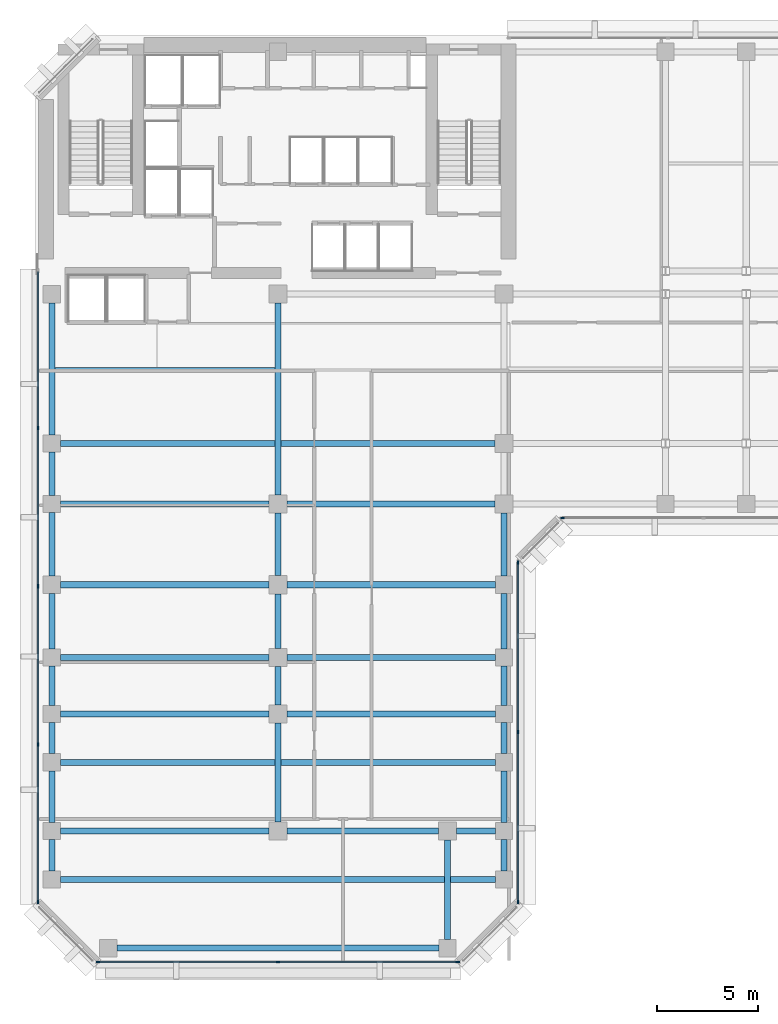
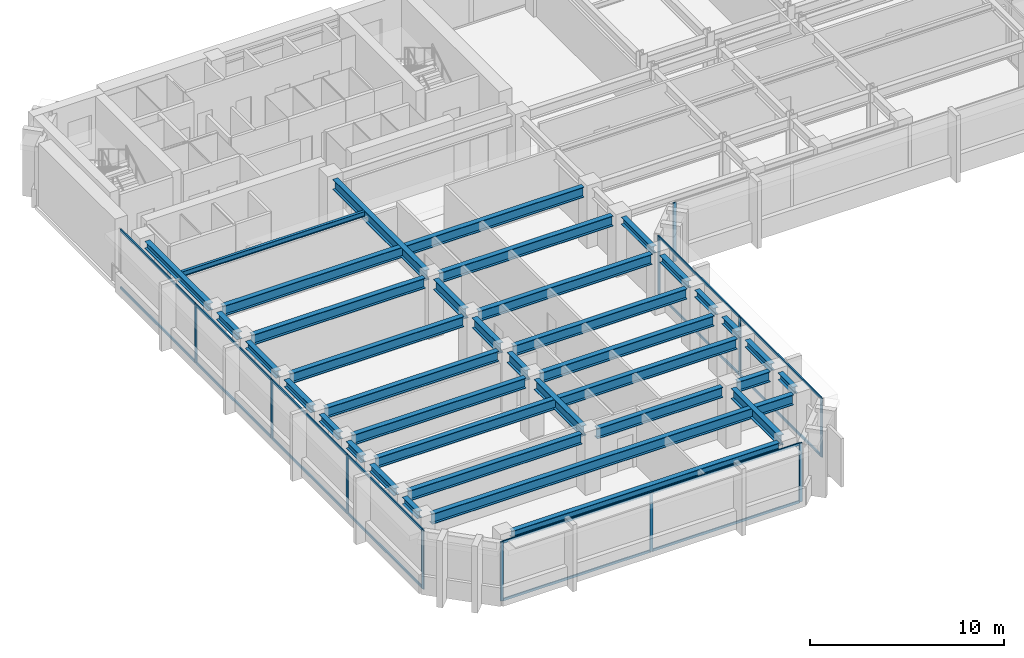
# One storey, part 2 of 11: 36 beams, 27 members, 4 elements without a shape of their own.
"""IFC4 building model written with IfcOpenShell, lengths in metres."""

from ifc_helpers import new_model, si_unit, direction, frame, origin, origin_2d, place, context, subcontext, project, spatial, rectangle, i_section, extrude, material, layer, layer_set, material_profile, profile_set, type_object, element, aggregate, save


model = new_model("IFC4")

# Units and contexts
model_context = context("Model", 3, precision=1e-05, world=origin(), true_north=direction((0.0, 1.0)))
body_context = subcontext(model_context, "Body", "Model", "MODEL_VIEW")
ifc_project = project(units=[si_unit("LENGTHUNIT", "METRE"), si_unit("AREAUNIT", "SQUARE_METRE"), si_unit("VOLUMEUNIT", "CUBIC_METRE"), si_unit("PLANEANGLEUNIT", "RADIAN"), si_unit("MASSUNIT", "GRAM", prefix="KILO")], contexts=[model_context])

# Site, building, storey
site_placement = place(None, origin())
site = spatial("IfcSite", under=ifc_project, at=site_placement, CompositionType="ELEMENT")
building_placement = place(site_placement, origin())
building = spatial("IfcBuilding", under=site, at=building_placement, Name="Kefirva Bronze Tower", CompositionType="ELEMENT")
storey_placement = place(building_placement, frame((0.0, 0.0, 166.64990234375)))
storey = spatial("IfcBuildingStorey", under=building, at=storey_placement, Name="L40", CompositionType="ELEMENT", Elevation=166.64990234375)

# Curtain wall, members
ifc_material_1 = material(Name="Bronze anodised aluminium", Category="aluminium")
ifc_layer = layer(ifc_material_1, 0.199951171875, Name="Bronze anodised aluminium")
ifc_layer_set = layer_set([ifc_layer], Name="Bronze anodised aluminium")
curtain_wall_type = type_object("IfcCurtainWallType", Name="Unitised Bronze Ribbon Curtain Wall Zone 2", PredefinedType="USERDEFINED", material=ifc_layer_set)
curtain_wall_1_placement = place(storey_placement, origin())
curtain_wall_1 = element("IfcCurtainWall", 1, at=curtain_wall_1_placement, inside=storey, type_object=curtain_wall_type, Name="L40 Curtain Wall 1", ObjectType="UNITISED CURTAIN WALL", PredefinedType="USERDEFINED")
ifc_material_profile_1 = material_profile(ifc_material_1, rectangle(XDim=0.074951171875, YDim=0.179931640625, at=origin_2d()), Name="ALU 75x180")
ifc_profile_set_1 = profile_set([ifc_material_profile_1], Name="Bronze anodised aluminium")
member_type_1 = type_object("IfcMemberType", Name="Bronze Mullion 75x180", PredefinedType="MULLION", material=ifc_profile_set_1)
member_1_placement = place(storey_placement, frame((3.092529296875, 0.1201171875, 0.0), z_axis=(0.0, 0.0, 1.0), x_axis=(0.0, 1.0, 0.0)))
member_1 = element("IfcMember", 2, at=member_1_placement, type_object=member_type_1, Name="CW-02 mullion 1", PredefinedType="MULLION", context=body_context, shape_type="SweptSolid", body=[
    extrude(rectangle(XDim=0.074951171875, YDim=0.179931640625, at=origin_2d()), origin(), (0.0, 0.0, 1.0), 3.710205078125),
])
member_2_placement = place(storey_placement, frame((12.0, 0.1201171875, 0.0), z_axis=(0.0, 0.0, 1.0), x_axis=(0.0, 1.0, 0.0)))
member_2 = element("IfcMember", 3, at=member_2_placement, type_object=member_type_1, Name="CW-02 mullion 2", PredefinedType="MULLION", context=body_context, shape_type="SweptSolid", body=[
    extrude(rectangle(XDim=0.074951171875, YDim=0.179931640625, at=origin_2d()), origin(), (0.0, 0.0, 1.0), 3.710205078125),
])
member_3_placement = place(storey_placement, frame((20.907470703125, 0.1201171875, 0.0), z_axis=(0.0, 0.0, 1.0), x_axis=(0.0, 1.0, 0.0)))
member_3 = element("IfcMember", 4, at=member_3_placement, type_object=member_type_1, Name="CW-02 mullion 3", PredefinedType="MULLION", context=body_context, shape_type="SweptSolid", body=[
    extrude(rectangle(XDim=0.074951171875, YDim=0.179931640625, at=origin_2d()), origin(), (0.0, 0.0, 1.0), 3.710205078125),
])

curtain_wall_2_placement = place(storey_placement, origin())
curtain_wall_2 = element("IfcCurtainWall", 5, at=curtain_wall_2_placement, inside=storey, type_object=curtain_wall_type, Name="L40 Curtain Wall 2", ObjectType="UNITISED CURTAIN WALL", PredefinedType="USERDEFINED")
member_4_placement = place(storey_placement, frame((23.8798828125, 3.092529296875, 0.0), z_axis=(0.0, 0.0, 1.0), x_axis=(-1.0, 0.0, 0.0)))
member_4 = element("IfcMember", 6, at=member_4_placement, type_object=member_type_1, Name="CW-02 mullion 1", PredefinedType="MULLION", context=body_context, shape_type="SweptSolid", body=[
    extrude(rectangle(XDim=0.074951171875, YDim=0.179931640625, at=origin_2d()), origin(), (0.0, 0.0, 1.0), 3.710205078125),
])
member_5_placement = place(storey_placement, frame((23.8798828125, 11.5, 0.0), z_axis=(0.0, 0.0, 1.0), x_axis=(-1.0, 0.0, 0.0)))
member_5 = element("IfcMember", 7, at=member_5_placement, type_object=member_type_1, Name="CW-02 mullion 2", PredefinedType="MULLION", context=body_context, shape_type="SweptSolid", body=[
    extrude(rectangle(XDim=0.074951171875, YDim=0.179931640625, at=origin_2d()), origin(), (0.0, 0.0, 1.0), 3.710205078125),
])
member_6_placement = place(storey_placement, frame((23.8798828125, 19.907470703125, 0.0), z_axis=(0.0, 0.0, 1.0), x_axis=(-1.0, 0.0, 0.0)))
member_6 = element("IfcMember", 8, at=member_6_placement, type_object=member_type_1, Name="CW-02 mullion 3", PredefinedType="MULLION", context=body_context, shape_type="SweptSolid", body=[
    extrude(rectangle(XDim=0.074951171875, YDim=0.179931640625, at=origin_2d()), origin(), (0.0, 0.0, 1.0), 3.710205078125),
])

# Curtain wall, member
curtain_wall_3_placement = place(storey_placement, origin())
curtain_wall_3 = element("IfcCurtainWall", 9, at=curtain_wall_3_placement, inside=storey, type_object=curtain_wall_type, Name="L40 Curtain Wall 3", ObjectType="UNITISED CURTAIN WALL", PredefinedType="USERDEFINED")
member_7_placement = place(storey_placement, frame((26.092529296875, 22.1201171875, 0.0), z_axis=(0.0, 0.0, 1.0), x_axis=(0.0, 1.0, 0.0)))
member_7 = element("IfcMember", 10, at=member_7_placement, type_object=member_type_1, Name="CW-02 mullion 1", PredefinedType="MULLION", context=body_context, shape_type="SweptSolid", body=[
    extrude(rectangle(XDim=0.074951171875, YDim=0.179931640625, at=origin_2d()), origin(), (0.0, 0.0, 1.0), 3.710205078125),
])
aggregate(curtain_wall_3, [member_7])

# Curtain wall, members
curtain_wall_4_placement = place(storey_placement, origin())
curtain_wall_4 = element("IfcCurtainWall", 11, at=curtain_wall_4_placement, inside=storey, type_object=curtain_wall_type, Name="L40 Curtain Wall 6", ObjectType="UNITISED CURTAIN WALL", PredefinedType="USERDEFINED")
member_8_placement = place(storey_placement, frame((0.1201171875, 26.56005859375, 0.0), z_axis=(0.0, 0.0, 1.0), x_axis=(1.0, 0.0, 0.0)))
member_8 = element("IfcMember", 12, at=member_8_placement, type_object=member_type_1, Name="CW-02 mullion 2", PredefinedType="MULLION", context=body_context, shape_type="SweptSolid", body=[
    extrude(rectangle(XDim=0.074951171875, YDim=0.179931640625, at=origin_2d()), origin(), (0.0, 0.0, 1.0), 3.710205078125),
])
member_9_placement = place(storey_placement, frame((0.1201171875, 18.72509765625, 0.0), z_axis=(0.0, 0.0, 1.0), x_axis=(1.0, 0.0, 0.0)))
member_9 = element("IfcMember", 13, at=member_9_placement, type_object=member_type_1, Name="CW-02 mullion 3", PredefinedType="MULLION", context=body_context, shape_type="SweptSolid", body=[
    extrude(rectangle(XDim=0.074951171875, YDim=0.179931640625, at=origin_2d()), origin(), (0.0, 0.0, 1.0), 3.710205078125),
])
member_10_placement = place(storey_placement, frame((0.1201171875, 10.889892578125, 0.0), z_axis=(0.0, 0.0, 1.0), x_axis=(1.0, 0.0, 0.0)))
member_10 = element("IfcMember", 14, at=member_10_placement, type_object=member_type_1, Name="CW-02 mullion 4", PredefinedType="MULLION", context=body_context, shape_type="SweptSolid", body=[
    extrude(rectangle(XDim=0.074951171875, YDim=0.179931640625, at=origin_2d()), origin(), (0.0, 0.0, 1.0), 3.710205078125),
])
member_11_placement = place(storey_placement, frame((0.1201171875, 3.092529296875, 0.0), z_axis=(0.0, 0.0, 1.0), x_axis=(1.0, 0.0, 0.0)))
member_11 = element("IfcMember", 15, at=member_11_placement, type_object=member_type_1, Name="CW-02 mullion 5", PredefinedType="MULLION", context=body_context, shape_type="SweptSolid", body=[
    extrude(rectangle(XDim=0.074951171875, YDim=0.179931640625, at=origin_2d()), origin(), (0.0, 0.0, 1.0), 3.710205078125),
])

# Member
ifc_material_profile_2 = material_profile(ifc_material_1, rectangle(XDim=0.074951171875, YDim=0.14990234375, at=origin_2d()), Name="ALU 75x150")
ifc_profile_set_2 = profile_set([ifc_material_profile_2], Name="Bronze anodised aluminium")
member_type_2 = type_object("IfcMemberType", Name="Bronze Transom 75x150", PredefinedType="USERDEFINED", material=ifc_profile_set_2)
member_12_placement = place(storey_placement, frame((3.1298828125, 0.1201171875, 0.03759765625), z_axis=(1.0, 0.0, 0.0), x_axis=(0.0, 1.0, 0.0)))
member_12 = element("IfcMember", 16, at=member_12_placement, type_object=member_type_2, Name="CW-02 transom 1.1", ObjectType="TRANSOM", PredefinedType="USERDEFINED", context=body_context, shape_type="SweptSolid", body=[
    extrude(rectangle(XDim=0.074951171875, YDim=0.14990234375, at=origin_2d()), origin(), (0.0, 0.0, 1.0), 8.83251953125),
])

member_13_placement = place(storey_placement, frame((3.1298828125, 0.1201171875, 3.672607421875), z_axis=(1.0, 0.0, 0.0), x_axis=(0.0, 1.0, 0.0)))
member_13 = element("IfcMember", 17, at=member_13_placement, type_object=member_type_2, Name="CW-02 transom 1.2", ObjectType="TRANSOM", PredefinedType="USERDEFINED", context=body_context, shape_type="SweptSolid", body=[
    extrude(rectangle(XDim=0.074951171875, YDim=0.14990234375, at=origin_2d()), origin(), (0.0, 0.0, 1.0), 8.83251953125),
])

member_14_placement = place(storey_placement, frame((12.03759765625, 0.1201171875, 0.03759765625), z_axis=(1.0, 0.0, 0.0), x_axis=(0.0, 1.0, 0.0)))
member_14 = element("IfcMember", 18, at=member_14_placement, type_object=member_type_2, Name="CW-02 transom 2.1", ObjectType="TRANSOM", PredefinedType="USERDEFINED", context=body_context, shape_type="SweptSolid", body=[
    extrude(rectangle(XDim=0.074951171875, YDim=0.14990234375, at=origin_2d()), origin(), (0.0, 0.0, 1.0), 8.83251953125),
])

member_15_placement = place(storey_placement, frame((12.03759765625, 0.1201171875, 3.672607421875), z_axis=(1.0, 0.0, 0.0), x_axis=(0.0, 1.0, 0.0)))
member_15 = element("IfcMember", 19, at=member_15_placement, type_object=member_type_2, Name="CW-02 transom 2.2", ObjectType="TRANSOM", PredefinedType="USERDEFINED", context=body_context, shape_type="SweptSolid", body=[
    extrude(rectangle(XDim=0.074951171875, YDim=0.14990234375, at=origin_2d()), origin(), (0.0, 0.0, 1.0), 8.83251953125),
])

aggregate(curtain_wall_1, [member_1, member_2, member_3, member_12, member_13, member_14, member_15])

member_16_placement = place(storey_placement, frame((23.8798828125, 3.1298828125, 0.03759765625), z_axis=(0.0, 1.0, 0.0), x_axis=(-1.0, 0.0, 0.0)))
member_16 = element("IfcMember", 20, at=member_16_placement, type_object=member_type_2, Name="CW-02 transom 1.1", ObjectType="TRANSOM", PredefinedType="USERDEFINED", context=body_context, shape_type="SweptSolid", body=[
    extrude(rectangle(XDim=0.074951171875, YDim=0.14990234375, at=origin_2d()), origin(), (0.0, 0.0, 1.0), 8.33251953125),
])

member_17_placement = place(storey_placement, frame((23.8798828125, 3.1298828125, 3.672607421875), z_axis=(0.0, 1.0, 0.0), x_axis=(-1.0, 0.0, 0.0)))
member_17 = element("IfcMember", 21, at=member_17_placement, type_object=member_type_2, Name="CW-02 transom 1.2", ObjectType="TRANSOM", PredefinedType="USERDEFINED", context=body_context, shape_type="SweptSolid", body=[
    extrude(rectangle(XDim=0.074951171875, YDim=0.14990234375, at=origin_2d()), origin(), (0.0, 0.0, 1.0), 8.33251953125),
])

member_18_placement = place(storey_placement, frame((23.8798828125, 11.53759765625, 0.03759765625), z_axis=(0.0, 1.0, 0.0), x_axis=(-1.0, 0.0, 0.0)))
member_18 = element("IfcMember", 22, at=member_18_placement, type_object=member_type_2, Name="CW-02 transom 2.1", ObjectType="TRANSOM", PredefinedType="USERDEFINED", context=body_context, shape_type="SweptSolid", body=[
    extrude(rectangle(XDim=0.074951171875, YDim=0.14990234375, at=origin_2d()), origin(), (0.0, 0.0, 1.0), 8.33251953125),
])

member_19_placement = place(storey_placement, frame((23.8798828125, 11.53759765625, 3.672607421875), z_axis=(0.0, 1.0, 0.0), x_axis=(-1.0, 0.0, 0.0)))
member_19 = element("IfcMember", 23, at=member_19_placement, type_object=member_type_2, Name="CW-02 transom 2.2", ObjectType="TRANSOM", PredefinedType="USERDEFINED", context=body_context, shape_type="SweptSolid", body=[
    extrude(rectangle(XDim=0.074951171875, YDim=0.14990234375, at=origin_2d()), origin(), (0.0, 0.0, 1.0), 8.33251953125),
])

aggregate(curtain_wall_2, [member_4, member_5, member_6, member_16, member_17, member_18, member_19])

member_20_placement = place(storey_placement, frame((0.1201171875, 34.320068359375, 0.03759765625), z_axis=(0.0, -1.0, 0.0), x_axis=(1.0, 0.0, 0.0)))
member_20 = element("IfcMember", 24, at=member_20_placement, type_object=member_type_2, Name="CW-02 transom 1.1", ObjectType="TRANSOM", PredefinedType="USERDEFINED", context=body_context, shape_type="SweptSolid", body=[
    extrude(rectangle(XDim=0.074951171875, YDim=0.14990234375, at=origin_2d()), origin(), (0.0, 0.0, 1.0), 7.72265625),
])

member_21_placement = place(storey_placement, frame((0.1201171875, 34.320068359375, 3.672607421875), z_axis=(0.0, -1.0, 0.0), x_axis=(1.0, 0.0, 0.0)))
member_21 = element("IfcMember", 25, at=member_21_placement, type_object=member_type_2, Name="CW-02 transom 1.2", ObjectType="TRANSOM", PredefinedType="USERDEFINED", context=body_context, shape_type="SweptSolid", body=[
    extrude(rectangle(XDim=0.074951171875, YDim=0.14990234375, at=origin_2d()), origin(), (0.0, 0.0, 1.0), 7.72265625),
])

member_22_placement = place(storey_placement, frame((0.1201171875, 26.5224609375, 0.03759765625), z_axis=(0.0, -1.0, 0.0), x_axis=(1.0, 0.0, 0.0)))
member_22 = element("IfcMember", 26, at=member_22_placement, type_object=member_type_2, Name="CW-02 transom 2.1", ObjectType="TRANSOM", PredefinedType="USERDEFINED", context=body_context, shape_type="SweptSolid", body=[
    extrude(rectangle(XDim=0.074951171875, YDim=0.14990234375, at=origin_2d()), origin(), (0.0, 0.0, 1.0), 7.760009765625),
])

member_23_placement = place(storey_placement, frame((0.1201171875, 26.5224609375, 3.672607421875), z_axis=(0.0, -1.0, 0.0), x_axis=(1.0, 0.0, 0.0)))
member_23 = element("IfcMember", 27, at=member_23_placement, type_object=member_type_2, Name="CW-02 transom 2.2", ObjectType="TRANSOM", PredefinedType="USERDEFINED", context=body_context, shape_type="SweptSolid", body=[
    extrude(rectangle(XDim=0.074951171875, YDim=0.14990234375, at=origin_2d()), origin(), (0.0, 0.0, 1.0), 7.760009765625),
])

member_24_placement = place(storey_placement, frame((0.1201171875, 18.6875, 0.03759765625), z_axis=(0.0, -1.0, 0.0), x_axis=(1.0, 0.0, 0.0)))
member_24 = element("IfcMember", 28, at=member_24_placement, type_object=member_type_2, Name="CW-02 transom 3.1", ObjectType="TRANSOM", PredefinedType="USERDEFINED", context=body_context, shape_type="SweptSolid", body=[
    extrude(rectangle(XDim=0.074951171875, YDim=0.14990234375, at=origin_2d()), origin(), (0.0, 0.0, 1.0), 7.760009765625),
])

member_25_placement = place(storey_placement, frame((0.1201171875, 18.6875, 3.672607421875), z_axis=(0.0, -1.0, 0.0), x_axis=(1.0, 0.0, 0.0)))
member_25 = element("IfcMember", 29, at=member_25_placement, type_object=member_type_2, Name="CW-02 transom 3.2", ObjectType="TRANSOM", PredefinedType="USERDEFINED", context=body_context, shape_type="SweptSolid", body=[
    extrude(rectangle(XDim=0.074951171875, YDim=0.14990234375, at=origin_2d()), origin(), (0.0, 0.0, 1.0), 7.760009765625),
])

member_26_placement = place(storey_placement, frame((0.1201171875, 10.8525390625, 0.03759765625), z_axis=(0.0, -1.0, 0.0), x_axis=(1.0, 0.0, 0.0)))
member_26 = element("IfcMember", 30, at=member_26_placement, type_object=member_type_2, Name="CW-02 transom 4.1", ObjectType="TRANSOM", PredefinedType="USERDEFINED", context=body_context, shape_type="SweptSolid", body=[
    extrude(rectangle(XDim=0.074951171875, YDim=0.14990234375, at=origin_2d()), origin(), (0.0, 0.0, 1.0), 7.72265625),
])

member_27_placement = place(storey_placement, frame((0.1201171875, 10.8525390625, 3.672607421875), z_axis=(0.0, -1.0, 0.0), x_axis=(1.0, 0.0, 0.0)))
member_27 = element("IfcMember", 31, at=member_27_placement, type_object=member_type_2, Name="CW-02 transom 4.2", ObjectType="TRANSOM", PredefinedType="USERDEFINED", context=body_context, shape_type="SweptSolid", body=[
    extrude(rectangle(XDim=0.074951171875, YDim=0.14990234375, at=origin_2d()), origin(), (0.0, 0.0, 1.0), 7.72265625),
])

aggregate(curtain_wall_4, [member_8, member_9, member_10, member_11, member_20, member_21, member_22, member_23, member_24, member_25, member_26, member_27])

# Beams
ifc_material_2 = material(Name="Steel S355", Category="steel")
ifc_material_profile_3 = material_profile(ifc_material_2, i_section(OverallWidth=0.159912109375, OverallDepth=0.330078125, WebThickness=0.007568359375, FlangeThickness=0.011474609375, at=origin_2d()), Name="IPE 330")
ifc_profile_set_3 = profile_set([ifc_material_profile_3], Name="Steel S355")
beam_type_1 = type_object("IfcBeamType", Name="Steel Floor Joist IPE 330", PredefinedType="JOIST", material=ifc_profile_set_3)
beam_1_placement = place(storey_placement, frame((0.949951171875, 29.489990234375, 3.545166015625), z_axis=(1.0, 0.0, 0.0), x_axis=(0.0, 1.0, 0.0)))
element("IfcBeam", 32, at=beam_1_placement, inside=storey, type_object=beam_type_1, Name="L40 JST-L40-0-294", PredefinedType="JOIST", context=body_context, shape_type="SweptSolid", body=[
    extrude(i_section(OverallWidth=0.159912109375, OverallDepth=0.330078125, WebThickness=0.007568359375, FlangeThickness=0.011474609375, at=origin_2d()), origin(), (0.0, 0.0, 1.0), 10.900146484375),
])
ifc_material_profile_4 = material_profile(ifc_material_2, i_section(OverallWidth=0.300048828125, OverallDepth=0.64990234375, WebThickness=0.01611328125, FlangeThickness=0.031005859375, at=origin_2d()), Name="HEB 650")
ifc_profile_set_4 = profile_set([ifc_material_profile_4], Name="Steel S355")
beam_type_2 = type_object("IfcBeamType", Name="Steel Girder HEB 650", PredefinedType="USERDEFINED", material=ifc_profile_set_4)
beam_2_placement = place(storey_placement, frame((1.22998046875, 4.199951171875, 3.385009765625), z_axis=(1.0, 0.0, 0.0), x_axis=(0.0, 1.0, 0.0)))
element("IfcBeam", 33, at=beam_2_placement, inside=storey, type_object=beam_type_2, Name="L40 BM-L40-EW-0-42", ObjectType="GIRDER", PredefinedType="USERDEFINED", context=body_context, shape_type="SweptSolid", body=[
    extrude(i_section(OverallWidth=0.300048828125, OverallDepth=0.64990234375, WebThickness=0.01611328125, FlangeThickness=0.031005859375, at=origin_2d()), origin(), (0.0, 0.0, 1.0), 21.5400390625),
])
beam_3_placement = place(storey_placement, frame((1.22998046875, 6.60009765625, 3.385009765625), z_axis=(1.0, 0.0, 0.0), x_axis=(0.0, 1.0, 0.0)))
element("IfcBeam", 34, at=beam_3_placement, inside=storey, type_object=beam_type_2, Name="L40 BM-L40-EW-0-66", ObjectType="GIRDER", PredefinedType="USERDEFINED", context=body_context, shape_type="SweptSolid", body=[
    extrude(i_section(OverallWidth=0.300048828125, OverallDepth=0.64990234375, WebThickness=0.01611328125, FlangeThickness=0.031005859375, at=origin_2d()), origin(), (0.0, 0.0, 1.0), 10.320068359375),
])
beam_4_placement = place(storey_placement, frame((12.449951171875, 6.60009765625, 3.385009765625), z_axis=(1.0, 0.0, 0.0), x_axis=(0.0, 1.0, 0.0)))
element("IfcBeam", 35, at=beam_4_placement, inside=storey, type_object=beam_type_2, Name="L40 BM-L40-EW-12-66", ObjectType="GIRDER", PredefinedType="USERDEFINED", context=body_context, shape_type="SweptSolid", body=[
    extrude(i_section(OverallWidth=0.300048828125, OverallDepth=0.64990234375, WebThickness=0.01611328125, FlangeThickness=0.031005859375, at=origin_2d()), origin(), (0.0, 0.0, 1.0), 7.5),
])
beam_5_placement = place(storey_placement, frame((20.85009765625, 6.60009765625, 3.385009765625), z_axis=(1.0, 0.0, 0.0), x_axis=(0.0, 1.0, 0.0)))
element("IfcBeam", 36, at=beam_5_placement, inside=storey, type_object=beam_type_2, Name="L40 BM-L40-EW-20-66", ObjectType="GIRDER", PredefinedType="USERDEFINED", context=body_context, shape_type="SweptSolid", body=[
    extrude(i_section(OverallWidth=0.300048828125, OverallDepth=0.64990234375, WebThickness=0.01611328125, FlangeThickness=0.031005859375, at=origin_2d()), origin(), (0.0, 0.0, 1.0), 1.919921875),
])
beam_6_placement = place(storey_placement, frame((1.22998046875, 10.0, 3.385009765625), z_axis=(1.0, 0.0, 0.0), x_axis=(0.0, 1.0, 0.0)))
element("IfcBeam", 37, at=beam_6_placement, inside=storey, type_object=beam_type_2, Name="L40 BM-L40-EW-0-100", ObjectType="GIRDER", PredefinedType="USERDEFINED", context=body_context, shape_type="SweptSolid", body=[
    extrude(i_section(OverallWidth=0.300048828125, OverallDepth=0.64990234375, WebThickness=0.01611328125, FlangeThickness=0.031005859375, at=origin_2d()), origin(), (0.0, 0.0, 1.0), 21.5400390625),
])
for number, where, z_axis, x_axis, name in (
    (38, (1.22998046875, 12.39990234375, 3.385009765625), (1.0, 0.0, 0.0), (0.0, 1.0, 0.0), "L40 BM-L40-EW-0-124"),
    (39, (12.449951171875, 12.39990234375, 3.385009765625), (1.0, 0.0, 0.0), (0.0, 1.0, 0.0), "L40 BM-L40-EW-12-124"),
    (40, (1.22998046875, 15.199951171875, 3.385009765625), (1.0, 0.0, 0.0), (0.0, 1.0, 0.0), "L40 BM-L40-EW-0-152"),
    (41, (12.449951171875, 15.199951171875, 3.385009765625), (1.0, 0.0, 0.0), (0.0, 1.0, 0.0), "L40 BM-L40-EW-12-152"),
    (42, (1.22998046875, 18.800048828125, 3.385009765625), (1.0, 0.0, 0.0), (0.0, 1.0, 0.0), "L40 BM-L40-EW-0-188"),
    (43, (12.449951171875, 18.800048828125, 3.385009765625), (1.0, 0.0, 0.0), (0.0, 1.0, 0.0), "L40 BM-L40-EW-12-188"),
    (44, (1.22998046875, 22.800048828125, 3.385009765625), (1.0, 0.0, 0.0), (0.0, 1.0, 0.0), "L40 BM-L40-EW-0-228"),
):
    element("IfcBeam", number, at=place(storey_placement, frame(where, z_axis=z_axis, x_axis=x_axis)), inside=storey, type_object=beam_type_2, Name=name, ObjectType="GIRDER", PredefinedType="USERDEFINED", context=body_context, shape_type="SweptSolid", body=[
        extrude(i_section(OverallWidth=0.300048828125, OverallDepth=0.64990234375, WebThickness=0.01611328125, FlangeThickness=0.031005859375, at=origin_2d()), origin(), (0.0, 0.0, 1.0), 10.320068359375),
    ])
beam_7_placement = place(storey_placement, frame((12.449951171875, 22.800048828125, 3.385009765625), z_axis=(1.0, 0.0, 0.0), x_axis=(0.0, 1.0, 0.0)))
element("IfcBeam", 45, at=beam_7_placement, inside=storey, type_object=beam_type_2, Name="L40 BM-L40-EW-12-228", ObjectType="GIRDER", PredefinedType="USERDEFINED", context=body_context, shape_type="SweptSolid", body=[
    extrude(i_section(OverallWidth=0.300048828125, OverallDepth=0.64990234375, WebThickness=0.01611328125, FlangeThickness=0.031005859375, at=origin_2d()), origin(), (0.0, 0.0, 1.0), 10.300048828125),
])
beam_8_placement = place(storey_placement, frame((1.22998046875, 25.800048828125, 3.385009765625), z_axis=(1.0, 0.0, 0.0), x_axis=(0.0, 1.0, 0.0)))
element("IfcBeam", 46, at=beam_8_placement, inside=storey, type_object=beam_type_2, Name="L40 BM-L40-EW-0-258", ObjectType="GIRDER", PredefinedType="USERDEFINED", context=body_context, shape_type="SweptSolid", body=[
    extrude(i_section(OverallWidth=0.300048828125, OverallDepth=0.64990234375, WebThickness=0.01611328125, FlangeThickness=0.031005859375, at=origin_2d()), origin(), (0.0, 0.0, 1.0), 21.52001953125),
])
beam_9_placement = place(storey_placement, frame((12.0, 7.050048828125, 3.385009765625), z_axis=(0.0, 1.0, 0.0), x_axis=(-1.0, 0.0, 0.0)))
element("IfcBeam", 47, at=beam_9_placement, inside=storey, type_object=beam_type_2, Name="L40 BM-L40-NS-120-6", ObjectType="GIRDER", PredefinedType="USERDEFINED", context=body_context, shape_type="SweptSolid", body=[
    extrude(i_section(OverallWidth=0.300048828125, OverallDepth=0.64990234375, WebThickness=0.01611328125, FlangeThickness=0.031005859375, at=origin_2d()), origin(), (0.0, 0.0, 1.0), 4.89990234375),
])
beam_10_placement = place(storey_placement, frame((12.0, 12.85009765625, 3.385009765625), z_axis=(0.0, 1.0, 0.0), x_axis=(-1.0, 0.0, 0.0)))
element("IfcBeam", 48, at=beam_10_placement, inside=storey, type_object=beam_type_2, Name="L40 BM-L40-NS-120-12", ObjectType="GIRDER", PredefinedType="USERDEFINED", context=body_context, shape_type="SweptSolid", body=[
    extrude(i_section(OverallWidth=0.300048828125, OverallDepth=0.64990234375, WebThickness=0.01611328125, FlangeThickness=0.031005859375, at=origin_2d()), origin(), (0.0, 0.0, 1.0), 1.89990234375),
])
beam_11_placement = place(storey_placement, frame((12.0, 15.64990234375, 3.385009765625), z_axis=(0.0, 1.0, 0.0), x_axis=(-1.0, 0.0, 0.0)))
element("IfcBeam", 49, at=beam_11_placement, inside=storey, type_object=beam_type_2, Name="L40 BM-L40-NS-120-15", ObjectType="GIRDER", PredefinedType="USERDEFINED", context=body_context, shape_type="SweptSolid", body=[
    extrude(i_section(OverallWidth=0.300048828125, OverallDepth=0.64990234375, WebThickness=0.01611328125, FlangeThickness=0.031005859375, at=origin_2d()), origin(), (0.0, 0.0, 1.0), 2.7001953125),
])
beam_12_placement = place(storey_placement, frame((12.0, 19.25, 3.385009765625), z_axis=(0.0, 1.0, 0.0), x_axis=(-1.0, 0.0, 0.0)))
element("IfcBeam", 50, at=beam_12_placement, inside=storey, type_object=beam_type_2, Name="L40 BM-L40-NS-120-18", ObjectType="GIRDER", PredefinedType="USERDEFINED", context=body_context, shape_type="SweptSolid", body=[
    extrude(i_section(OverallWidth=0.300048828125, OverallDepth=0.64990234375, WebThickness=0.01611328125, FlangeThickness=0.031005859375, at=origin_2d()), origin(), (0.0, 0.0, 1.0), 3.10009765625),
])
beam_13_placement = place(storey_placement, frame((12.0, 23.25, 3.385009765625), z_axis=(0.0, 1.0, 0.0), x_axis=(-1.0, 0.0, 0.0)))
element("IfcBeam", 51, at=beam_13_placement, inside=storey, type_object=beam_type_2, Name="L40 BM-L40-NS-120-22", ObjectType="GIRDER", PredefinedType="USERDEFINED", context=body_context, shape_type="SweptSolid", body=[
    extrude(i_section(OverallWidth=0.300048828125, OverallDepth=0.64990234375, WebThickness=0.01611328125, FlangeThickness=0.031005859375, at=origin_2d()), origin(), (0.0, 0.0, 1.0), 9.5),
])
beam_14_placement = place(storey_placement, frame((20.39990234375, 1.22998046875, 3.385009765625), z_axis=(0.0, 1.0, 0.0), x_axis=(-1.0, 0.0, 0.0)))
element("IfcBeam", 52, at=beam_14_placement, inside=storey, type_object=beam_type_2, Name="L40 BM-L40-NS-204-0", ObjectType="GIRDER", PredefinedType="USERDEFINED", context=body_context, shape_type="SweptSolid", body=[
    extrude(i_section(OverallWidth=0.300048828125, OverallDepth=0.64990234375, WebThickness=0.01611328125, FlangeThickness=0.031005859375, at=origin_2d()), origin(), (0.0, 0.0, 1.0), 4.919921875),
])
ifc_material_profile_5 = material_profile(ifc_material_2, i_section(OverallWidth=0.300048828125, OverallDepth=0.449951171875, WebThickness=0.013916015625, FlangeThickness=0.02587890625, at=origin_2d()), Name="HEB 450")
ifc_profile_set_5 = profile_set([ifc_material_profile_5], Name="Steel S355")
beam_type_3 = type_object("IfcBeamType", Name="Steel Spandrel HEB 450 Ext", PredefinedType="SPANDREL", material=ifc_profile_set_5)
beam_15_placement = place(storey_placement, frame((4.030029296875, 0.800048828125, 3.485107421875), z_axis=(1.0, 0.0, 0.0), x_axis=(0.0, 1.0, 0.0)))
element("IfcBeam", 53, at=beam_15_placement, inside=storey, type_object=beam_type_3, Name="L40 BM-L40-EW-3-8", PredefinedType="SPANDREL", context=body_context, shape_type="SweptSolid", body=[
    extrude(i_section(OverallWidth=0.300048828125, OverallDepth=0.449951171875, WebThickness=0.013916015625, FlangeThickness=0.02587890625, at=origin_2d()), origin(), (0.0, 0.0, 1.0), 15.93994140625),
])
beam_16_placement = place(storey_placement, frame((0.800048828125, 4.6298828125, 3.485107421875), z_axis=(0.0, 1.0, 0.0), x_axis=(-1.0, 0.0, 0.0)))
element("IfcBeam", 54, at=beam_16_placement, inside=storey, type_object=beam_type_3, Name="L40 BM-L40-NS-8-4", PredefinedType="SPANDREL", context=body_context, shape_type="SweptSolid", body=[
    extrude(i_section(OverallWidth=0.300048828125, OverallDepth=0.449951171875, WebThickness=0.013916015625, FlangeThickness=0.02587890625, at=origin_2d()), origin(), (0.0, 0.0, 1.0), 1.5400390625),
])
beam_17_placement = place(storey_placement, frame((0.800048828125, 7.030029296875, 3.485107421875), z_axis=(0.0, 1.0, 0.0), x_axis=(-1.0, 0.0, 0.0)))
element("IfcBeam", 55, at=beam_17_placement, inside=storey, type_object=beam_type_3, Name="L40 BM-L40-NS-8-6", PredefinedType="SPANDREL", context=body_context, shape_type="SweptSolid", body=[
    extrude(i_section(OverallWidth=0.300048828125, OverallDepth=0.449951171875, WebThickness=0.013916015625, FlangeThickness=0.02587890625, at=origin_2d()), origin(), (0.0, 0.0, 1.0), 2.5400390625),
])
beam_18_placement = place(storey_placement, frame((0.800048828125, 10.429931640625, 3.485107421875), z_axis=(0.0, 1.0, 0.0), x_axis=(-1.0, 0.0, 0.0)))
element("IfcBeam", 56, at=beam_18_placement, inside=storey, type_object=beam_type_3, Name="L40 BM-L40-NS-8-10", PredefinedType="SPANDREL", context=body_context, shape_type="SweptSolid", body=[
    extrude(i_section(OverallWidth=0.300048828125, OverallDepth=0.449951171875, WebThickness=0.013916015625, FlangeThickness=0.02587890625, at=origin_2d()), origin(), (0.0, 0.0, 1.0), 1.5400390625),
])
beam_19_placement = place(storey_placement, frame((0.800048828125, 12.830078125, 3.485107421875), z_axis=(0.0, 1.0, 0.0), x_axis=(-1.0, 0.0, 0.0)))
element("IfcBeam", 57, at=beam_19_placement, inside=storey, type_object=beam_type_3, Name="L40 BM-L40-NS-8-12", PredefinedType="SPANDREL", context=body_context, shape_type="SweptSolid", body=[
    extrude(i_section(OverallWidth=0.300048828125, OverallDepth=0.449951171875, WebThickness=0.013916015625, FlangeThickness=0.02587890625, at=origin_2d()), origin(), (0.0, 0.0, 1.0), 1.93994140625),
])
beam_20_placement = place(storey_placement, frame((0.800048828125, 15.6298828125, 3.485107421875), z_axis=(0.0, 1.0, 0.0), x_axis=(-1.0, 0.0, 0.0)))
element("IfcBeam", 58, at=beam_20_placement, inside=storey, type_object=beam_type_3, Name="L40 BM-L40-NS-8-15", PredefinedType="SPANDREL", context=body_context, shape_type="SweptSolid", body=[
    extrude(i_section(OverallWidth=0.300048828125, OverallDepth=0.449951171875, WebThickness=0.013916015625, FlangeThickness=0.02587890625, at=origin_2d()), origin(), (0.0, 0.0, 1.0), 2.740234375),
])
beam_21_placement = place(storey_placement, frame((0.800048828125, 19.22998046875, 3.485107421875), z_axis=(0.0, 1.0, 0.0), x_axis=(-1.0, 0.0, 0.0)))
element("IfcBeam", 59, at=beam_21_placement, inside=storey, type_object=beam_type_3, Name="L40 BM-L40-NS-8-18", PredefinedType="SPANDREL", context=body_context, shape_type="SweptSolid", body=[
    extrude(i_section(OverallWidth=0.300048828125, OverallDepth=0.449951171875, WebThickness=0.013916015625, FlangeThickness=0.02587890625, at=origin_2d()), origin(), (0.0, 0.0, 1.0), 3.14013671875),
])
beam_22_placement = place(storey_placement, frame((0.800048828125, 23.22998046875, 3.485107421875), z_axis=(0.0, 1.0, 0.0), x_axis=(-1.0, 0.0, 0.0)))
element("IfcBeam", 60, at=beam_22_placement, inside=storey, type_object=beam_type_3, Name="L40 BM-L40-NS-8-22", PredefinedType="SPANDREL", context=body_context, shape_type="SweptSolid", body=[
    extrude(i_section(OverallWidth=0.300048828125, OverallDepth=0.449951171875, WebThickness=0.013916015625, FlangeThickness=0.02587890625, at=origin_2d()), origin(), (0.0, 0.0, 1.0), 2.14013671875),
])
beam_23_placement = place(storey_placement, frame((0.800048828125, 26.22998046875, 3.485107421875), z_axis=(0.0, 1.0, 0.0), x_axis=(-1.0, 0.0, 0.0)))
element("IfcBeam", 61, at=beam_23_placement, inside=storey, type_object=beam_type_3, Name="L40 BM-L40-NS-8-25", PredefinedType="SPANDREL", context=body_context, shape_type="SweptSolid", body=[
    extrude(i_section(OverallWidth=0.300048828125, OverallDepth=0.449951171875, WebThickness=0.013916015625, FlangeThickness=0.02587890625, at=origin_2d()), origin(), (0.0, 0.0, 1.0), 6.5400390625),
])
beam_24_placement = place(storey_placement, frame((23.199951171875, 4.6298828125, 3.485107421875), z_axis=(0.0, 1.0, 0.0), x_axis=(-1.0, 0.0, 0.0)))
element("IfcBeam", 62, at=beam_24_placement, inside=storey, type_object=beam_type_3, Name="L40 BM-L40-NS-232-4", PredefinedType="SPANDREL", context=body_context, shape_type="SweptSolid", body=[
    extrude(i_section(OverallWidth=0.300048828125, OverallDepth=0.449951171875, WebThickness=0.013916015625, FlangeThickness=0.02587890625, at=origin_2d()), origin(), (0.0, 0.0, 1.0), 1.5400390625),
])
beam_25_placement = place(storey_placement, frame((23.199951171875, 7.030029296875, 3.485107421875), z_axis=(0.0, 1.0, 0.0), x_axis=(-1.0, 0.0, 0.0)))
element("IfcBeam", 63, at=beam_25_placement, inside=storey, type_object=beam_type_3, Name="L40 BM-L40-NS-232-6", PredefinedType="SPANDREL", context=body_context, shape_type="SweptSolid", body=[
    extrude(i_section(OverallWidth=0.300048828125, OverallDepth=0.449951171875, WebThickness=0.013916015625, FlangeThickness=0.02587890625, at=origin_2d()), origin(), (0.0, 0.0, 1.0), 2.5400390625),
])
beam_26_placement = place(storey_placement, frame((23.199951171875, 10.429931640625, 3.485107421875), z_axis=(0.0, 1.0, 0.0), x_axis=(-1.0, 0.0, 0.0)))
element("IfcBeam", 64, at=beam_26_placement, inside=storey, type_object=beam_type_3, Name="L40 BM-L40-NS-232-10", PredefinedType="SPANDREL", context=body_context, shape_type="SweptSolid", body=[
    extrude(i_section(OverallWidth=0.300048828125, OverallDepth=0.449951171875, WebThickness=0.013916015625, FlangeThickness=0.02587890625, at=origin_2d()), origin(), (0.0, 0.0, 1.0), 1.5400390625),
])
beam_27_placement = place(storey_placement, frame((23.199951171875, 12.830078125, 3.485107421875), z_axis=(0.0, 1.0, 0.0), x_axis=(-1.0, 0.0, 0.0)))
element("IfcBeam", 65, at=beam_27_placement, inside=storey, type_object=beam_type_3, Name="L40 BM-L40-NS-232-12", PredefinedType="SPANDREL", context=body_context, shape_type="SweptSolid", body=[
    extrude(i_section(OverallWidth=0.300048828125, OverallDepth=0.449951171875, WebThickness=0.013916015625, FlangeThickness=0.02587890625, at=origin_2d()), origin(), (0.0, 0.0, 1.0), 1.93994140625),
])
beam_28_placement = place(storey_placement, frame((23.199951171875, 15.6298828125, 3.485107421875), z_axis=(0.0, 1.0, 0.0), x_axis=(-1.0, 0.0, 0.0)))
element("IfcBeam", 66, at=beam_28_placement, inside=storey, type_object=beam_type_3, Name="L40 BM-L40-NS-232-15", PredefinedType="SPANDREL", context=body_context, shape_type="SweptSolid", body=[
    extrude(i_section(OverallWidth=0.300048828125, OverallDepth=0.449951171875, WebThickness=0.013916015625, FlangeThickness=0.02587890625, at=origin_2d()), origin(), (0.0, 0.0, 1.0), 2.740234375),
])
beam_29_placement = place(storey_placement, frame((23.199951171875, 19.22998046875, 3.485107421875), z_axis=(0.0, 1.0, 0.0), x_axis=(-1.0, 0.0, 0.0)))
element("IfcBeam", 67, at=beam_29_placement, inside=storey, type_object=beam_type_3, Name="L40 BM-L40-NS-232-18", PredefinedType="SPANDREL", context=body_context, shape_type="SweptSolid", body=[
    extrude(i_section(OverallWidth=0.300048828125, OverallDepth=0.449951171875, WebThickness=0.013916015625, FlangeThickness=0.02587890625, at=origin_2d()), origin(), (0.0, 0.0, 1.0), 3.1201171875),
])

save(model, "model.ifc")
